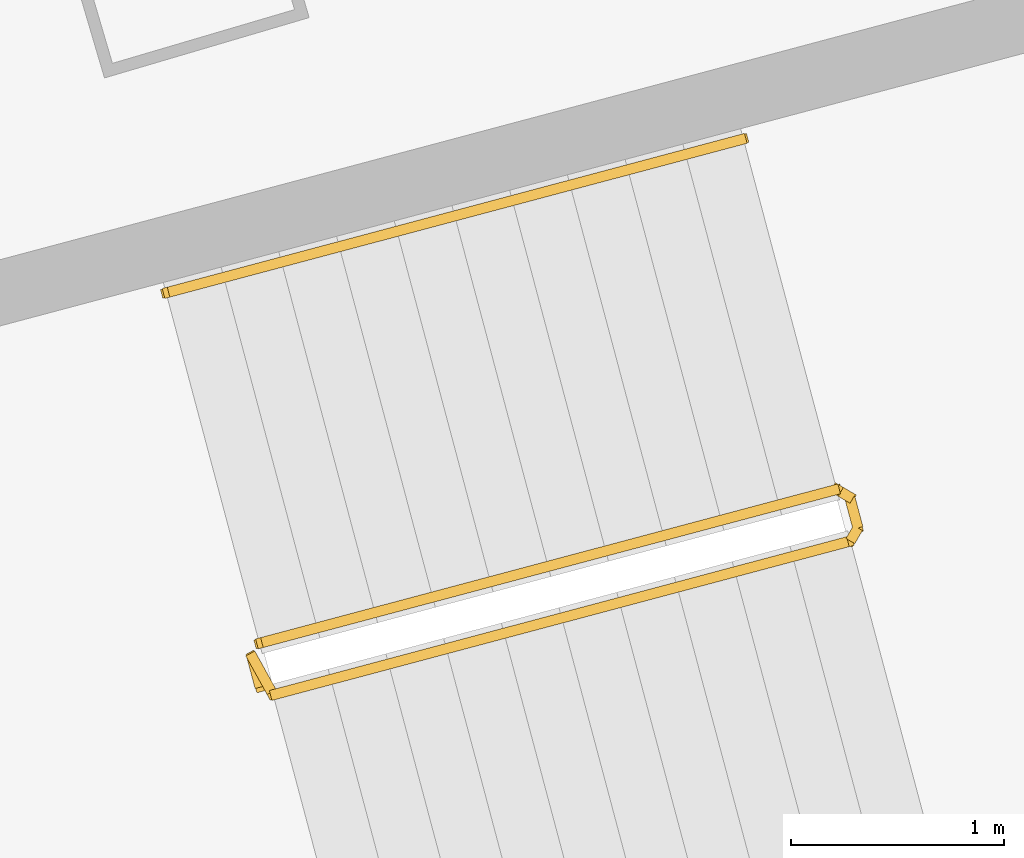
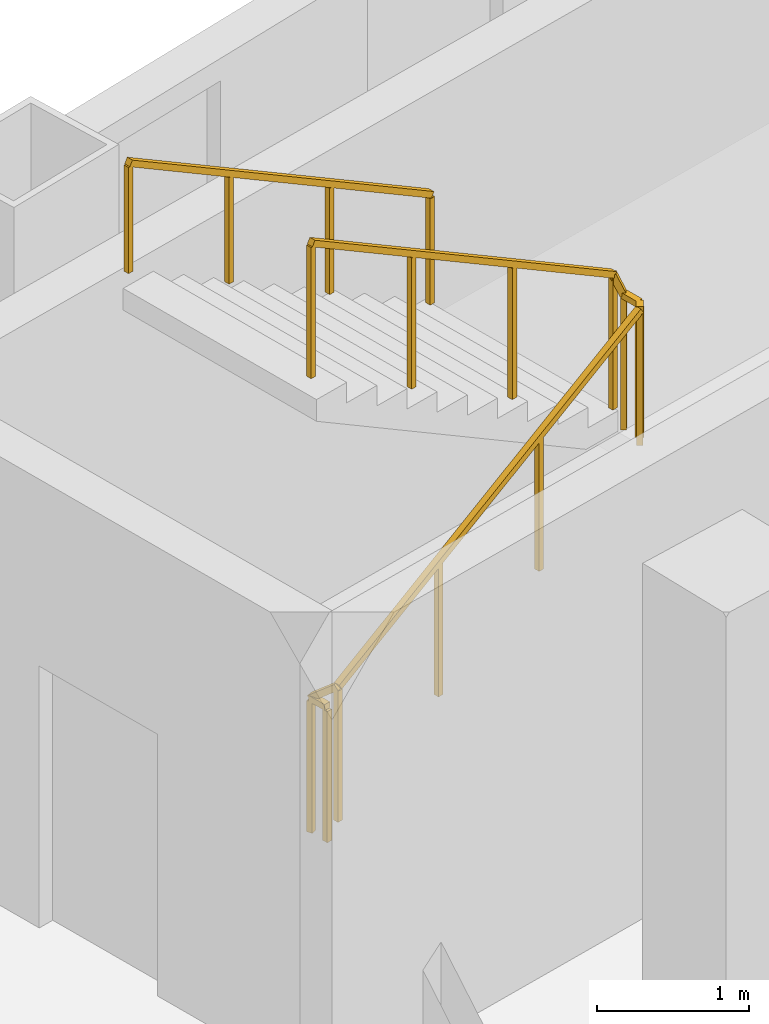
# One storey, part 21 of 21: 2 railings.
"""IFC4 building model written with IfcOpenShell, lengths in metres."""

import ifcopenshell
import ifcopenshell.guid

model = None  # the IFC model being written
_history = None  # IfcOwnerHistory: only IFC2X3 demands one
_inside = {}  # id of a spatial element -> (the spatial element, [elements in it])
_under = {}  # id of a project, library or spatial element -> (it, [spatial elements below it])
_declared = {}  # id of a project -> (the project, [libraries it declares])
_typed = {}  # id of a type object -> (the type object, [elements of that type])
_made_of = {}  # id of a material, layer set ... -> (it, [elements and type objects made of it])


def new_model(schema):
    """Start an empty IFC model of exactly this schema.

    Asked for "IFC4X3", IfcOpenShell would pick the latest addendum, in which some entities
    have other attributes; the version numbers below select the first issue.
    IFC2X3 requires an IfcOwnerHistory on every rooted entity: one is made here for all.
    """
    global model, _history
    if schema == "IFC4X3":
        model = ifcopenshell.file(schema_version=(4, 3, 0, 0))
    else:
        model = ifcopenshell.file(schema=schema)
    _inside.clear()
    _under.clear()
    _declared.clear()
    _typed.clear()
    _made_of.clear()
    _history = None
    if model.schema == "IFC2X3":
        org = make("IfcOrganization", Name="unknown")
        user = make(
            "IfcPersonAndOrganization",
            ThePerson=make("IfcPerson", FamilyName="unknown"),
            TheOrganization=org,
        )
        app = make(
            "IfcApplication",
            ApplicationDeveloper=org,
            Version="unknown",
            ApplicationFullName="unknown",
            ApplicationIdentifier="unknown",
        )
        _history = make(
            "IfcOwnerHistory",
            OwningUser=user,
            OwningApplication=app,
            ChangeAction="ADDED",
            CreationDate=0,
        )
    return model


def make(cls, **values):
    """One entity of the class cls with the attributes given. An attribute that is None is left unset."""
    return model.create_entity(
        cls, **{name: value for name, value in values.items() if value is not None}
    )


def rooted(cls, **values):
    """An entity with a GlobalId (a new one), such as an element, a storey or a relation."""
    return make(cls, GlobalId=ifcopenshell.guid.new(), OwnerHistory=_history, **values)


def si_unit(unit_type, name, prefix=None):
    """IfcSIUnit, for example si_unit("LENGTHUNIT", "METRE", prefix="MILLI")."""
    return make("IfcSIUnit", UnitType=unit_type, Prefix=prefix, Name=name)


def assignment(units):
    """IfcUnitAssignment: the units of a project."""
    return None if units is None else make("IfcUnitAssignment", Units=units)


def point(xyz):
    """IfcCartesianPoint."""
    return None if xyz is None else make("IfcCartesianPoint", Coordinates=xyz)


def direction(xyz):
    """IfcDirection."""
    return None if xyz is None else make("IfcDirection", DirectionRatios=xyz)


def frame(location, z_axis=None, x_axis=None):
    """IfcAxis2Placement3D, a coordinate frame: its origin and axes. An axis left out is left unset."""
    return make(
        "IfcAxis2Placement3D",
        Location=point(location),
        Axis=direction(z_axis),
        RefDirection=direction(x_axis),
    )


def frame_2d(location, x_axis=None):
    """IfcAxis2Placement2D, a coordinate frame in the plane: its origin and x axis."""
    return make(
        "IfcAxis2Placement2D", Location=point(location), RefDirection=direction(x_axis)
    )


def origin():
    """The frame at (0, 0, 0) with its axes left unset."""
    return frame((0.0, 0.0, 0.0))


def origin_2d():
    """The frame at (0, 0) in the plane with its x axis left unset."""
    return frame_2d((0.0, 0.0))


def place(relative_to, where):
    """IfcLocalPlacement: puts the frame where relative to a parent placement (None: the world)."""
    return make(
        "IfcLocalPlacement", PlacementRelTo=relative_to, RelativePlacement=where
    )


def context(
    kind, dimensions, precision=None, world=None, true_north=None, identifier=None
):
    """IfcGeometricRepresentationContext, for example the 3D "Model" context."""
    return make(
        "IfcGeometricRepresentationContext",
        ContextIdentifier=identifier,
        ContextType=kind,
        CoordinateSpaceDimension=dimensions,
        Precision=precision,
        WorldCoordinateSystem=world,
        TrueNorth=true_north,
    )


def subcontext(parent, identifier, kind, view, scale=None):
    """IfcGeometricRepresentationSubContext, for example "Body" below "Model"."""
    return make(
        "IfcGeometricRepresentationSubContext",
        ContextIdentifier=identifier,
        ContextType=kind,
        ParentContext=parent,
        TargetScale=scale,
        TargetView=view,
    )


def project(units=None, contexts=None):
    """IfcProject with its units and contexts."""
    return rooted(
        "IfcProject",
        Name="project",
        RepresentationContexts=contexts,
        UnitsInContext=assignment(units),
    )


def spatial(cls, under=None, at=None, **own):
    """A site, building, storey or space (cls), placed at a placement, below another one or the project."""
    s = rooted(cls, ObjectPlacement=at, **own)
    if under is not None:
        _under.setdefault(under.id(), (under, []))[1].append(s)
    return s


def profile(cls, at=None, kind="AREA", **sizes):
    """A parametric profile (cls). Its sizes go by their IFC names, for example OverallWidth=200.0."""
    return make(cls, ProfileType=kind, Position=at, **sizes)


def rectangle(**sizes):
    """IfcRectangleProfileDef."""
    return profile("IfcRectangleProfileDef", **sizes)


def extrude(swept, where, along, depth):
    """IfcExtrudedAreaSolid: the profile swept, set in the frame where, extruded along a direction by depth."""
    return make(
        "IfcExtrudedAreaSolid",
        SweptArea=swept,
        Position=where,
        ExtrudedDirection=direction(along),
        Depth=depth,
    )


def shape(context_of_items, identifier, shape_type, items):
    """IfcShapeRepresentation: the items that make up one representation, for example the "Body"."""
    return make(
        "IfcShapeRepresentation",
        ContextOfItems=context_of_items,
        RepresentationIdentifier=identifier,
        RepresentationType=shape_type,
        Items=items,
    )


def material(Name=None, Category=None):
    """IfcMaterial."""
    return make("IfcMaterial", Name=Name, Category=Category)


def made_of(thing, what):
    """Note that an element or type object is made of a material, layer set ...; save() writes the relation."""
    if what is not None:
        _made_of.setdefault(what.id(), (what, []))[1].append(thing)
    return thing


def type_object(cls, material=None, **own):
    """A type object (cls), such as IfcWallType, which elements share."""
    return made_of(rooted(cls, **own), material)


def element(
    cls,
    number,
    at=None,
    inside=None,
    cuts=None,
    type_object=None,
    material=None,
    context=None,
    identifier="Body",
    shape_type=None,
    held_by="IfcProductDefinitionShape",
    body=None,
    shapes=None,
    **own,
):
    """One element of the class cls, such as IfcWall. Its Tag is "e" and its number.

    at: its placement. inside: the storey or other place that contains it. cuts: it is an
    opening in that element (IfcRelVoidsElement). A single representation is given by context,
    identifier, shape_type and body (its items); several are given by shapes. held_by: the class
    of the entity that holds the representations. save() writes the other relations.
    """
    e = rooted(cls, Tag="e%d" % number, ObjectPlacement=at, **own)
    if body is not None:
        shapes = [shape(context, identifier, shape_type, body)]
    if shapes is not None:
        e.Representation = make(held_by, Representations=shapes)
    if inside is not None:
        _inside.setdefault(inside.id(), (inside, []))[1].append(e)
    if cuts is not None:
        rooted(
            "IfcRelVoidsElement", RelatingBuildingElement=cuts, RelatedOpeningElement=e
        )
    if type_object is not None:
        _typed.setdefault(type_object.id(), (type_object, []))[1].append(e)
    return made_of(e, material)


def aggregate(whole, parts):
    """IfcRelAggregates: a whole, such as a stair, and the parts it consists of."""
    return rooted("IfcRelAggregates", RelatingObject=whole, RelatedObjects=parts)


def save(model, path):
    """Write the relations noted so far, then the file.

    IfcRelAggregates (storeys below a building ...), IfcRelContainedInSpatialStructure (elements
    in a storey), IfcRelDefinesByType, IfcRelAssociatesMaterial and IfcRelDeclares: one each for
    every whole, place, type object, material and project.
    """
    for whole, parts in _under.values():
        aggregate(whole, parts)
    for where, things in _inside.values():
        rooted(
            "IfcRelContainedInSpatialStructure",
            RelatedElements=things,
            RelatingStructure=where,
        )
    for kind, things in _typed.values():
        rooted("IfcRelDefinesByType", RelatedObjects=things, RelatingType=kind)
    for what, things in _made_of.values():
        rooted("IfcRelAssociatesMaterial", RelatedObjects=things, RelatingMaterial=what)
    for by, libraries in _declared.values():
        rooted("IfcRelDeclares", RelatingContext=by, RelatedDefinitions=libraries)
    model.write(path)


model = new_model("IFC4")

# Units and contexts
model_context = context("Model", 3, precision=1e-05, world=origin(), true_north=direction((0.0, 1.0)))
body_context = subcontext(model_context, "Body", "Model", "MODEL_VIEW")
ifc_project = project(units=[si_unit("LENGTHUNIT", "METRE"), si_unit("AREAUNIT", "SQUARE_METRE"), si_unit("VOLUMEUNIT", "CUBIC_METRE"), si_unit("PLANEANGLEUNIT", "RADIAN"), si_unit("MASSUNIT", "GRAM", prefix="KILO")], contexts=[model_context])

# Site, building, storey
site_placement = place(None, origin())
site = spatial("IfcSite", under=ifc_project, at=site_placement, CompositionType="ELEMENT")
building_placement = place(site_placement, origin())
building = spatial("IfcBuilding", under=site, at=building_placement, Name="Alderwake Tower", CompositionType="ELEMENT")
storey_placement = place(building_placement, frame((0.0, 0.0, 146.0)))
storey = spatial("IfcBuildingStorey", under=building, at=storey_placement, Name="L35", CompositionType="ELEMENT", Elevation=146.0)

# Railings
ifc_material_1 = material(Name="Stainless steel guard", Category="steel")
railing_type_1 = type_object("IfcRailingType", Name="Stair guard 1100", PredefinedType="GUARDRAIL", material=ifc_material_1)
railing_1_placement = place(storey_placement, frame((39.23291015625, 92.6806640625, 0.0)))
element("IfcRailing", 1, at=railing_1_placement, inside=storey, type_object=railing_type_1, Name="L35 ST-A stair guard 1", PredefinedType="GUARDRAIL", context=body_context, shape_type="SweptSolid", body=[
    extrude(rectangle(XDim=0.048095703125, YDim=0.048095703125, at=origin_2d()), frame((0.0, 0.0, 1.076171875), z_axis=(-0.257055032184, 0.966396766566, 0.0), x_axis=(-0.966396766566, -0.257055032184, 0.0)), (0.0, 0.0, 1.0), 0.150146484375),
    extrude(rectangle(XDim=0.048095703125, YDim=0.048095703125, at=origin_2d()), frame((-0.03857421875, 0.14501953125, 1.076171875), z_axis=(0.379370725808, -0.685464465458, 0.621463047167), x_axis=(0.874937996095, 0.484234966715, 0.0)), (0.0, 0.0, 1.0), 0.26318359375),
    extrude(rectangle(XDim=0.048095703125, YDim=0.048095703125, at=origin_2d()), frame((0.061279296875, -0.035400390625, 1.23974609375), z_axis=(0.834258940753, 0.22222815314, 0.504605457487), x_axis=(-0.257402139082, 0.966304371715, 0.0)), (0.0, 0.0, 1.0), 3.2431640625),
    extrude(rectangle(XDim=0.048095703125, YDim=0.048095703125, at=origin_2d()), frame((2.766845703125, 0.685302734375, 2.8759765625), z_axis=(0.500220121494, 0.865898279276, 0.0), x_axis=(-0.865898279276, 0.500220121494, 0.0)), (0.0, 0.0, 1.0), 0.07080078125),
    extrude(rectangle(XDim=0.048095703125, YDim=0.048095703125, at=origin_2d()), frame((2.80224609375, 0.74658203125, 2.8759765625), z_axis=(-0.257459803502, 0.966289009345, 0.0), x_axis=(-0.966289009345, -0.257459803502, 0.0)), (0.0, 0.0, 1.0), 0.14990234375),
    extrude(rectangle(XDim=0.048095703125, YDim=0.048095703125, at=origin_2d()), frame((2.763671875, 0.891357421875, 2.8759765625), z_axis=(-0.34252489212, 0.200034536998, 0.917966710881), x_axis=(-0.504300490226, -0.863528236688, 0.0)), (0.0, 0.0, 1.0), 0.17822265625),
    extrude(rectangle(XDim=0.048095703125, YDim=0.048095703125, at=origin_2d()), frame((2.70263671875, 0.927001953125, 3.03955078125), z_axis=(-0.834281824786, -0.222214197128, 0.504573768072), x_axis=(0.257380452725, -0.966310148221, 0.0)), (0.0, 0.0, 1.0), 3.2431640625),
    extrude(rectangle(XDim=0.0419921875, YDim=0.0419921875, at=origin_2d()), frame((0.0, 0.0, 0.0), z_axis=(0.0, 0.0, 1.0), x_axis=(-0.257055032184, 0.966396766566, 0.0)), (0.0, 0.0, 1.0), 1.052001953125),
    extrude(rectangle(XDim=0.0419921875, YDim=0.0419921875, at=origin_2d()), frame((-0.03857421875, 0.14501953125, 0.0), z_axis=(0.0, 0.0, 1.0), x_axis=(0.484234966715, -0.874937996095, 0.0)), (0.0, 0.0, 1.0), 1.052001953125),
    extrude(rectangle(XDim=0.0419921875, YDim=0.0419921875, at=origin_2d()), frame((0.061279296875, -0.035400390625, 0.16357421875), z_axis=(0.0, 0.0, 1.0), x_axis=(0.966304371715, 0.257402139082, 0.0)), (0.0, 0.0, 1.0), 1.052001953125),
    extrude(rectangle(XDim=0.0419921875, YDim=0.0419921875, at=origin_2d()), frame((0.963134765625, 0.204833984375, 0.708984375), z_axis=(0.0, 0.0, 1.0), x_axis=(0.966304371715, 0.257402139082, 0.0)), (0.0, 0.0, 1.0), 1.052001953125),
    extrude(rectangle(XDim=0.0419921875, YDim=0.0419921875, at=origin_2d()), frame((1.864990234375, 0.445068359375, 1.254638671875), z_axis=(0.0, 0.0, 1.0), x_axis=(0.966304371715, 0.257402139082, 0.0)), (0.0, 0.0, 1.0), 1.052001953125),
    extrude(rectangle(XDim=0.0419921875, YDim=0.0419921875, at=origin_2d()), frame((2.766845703125, 0.685302734375, 1.800048828125), z_axis=(0.0, 0.0, 1.0), x_axis=(0.500220121494, 0.865898279276, 0.0)), (0.0, 0.0, 1.0), 1.052001953125),
    extrude(rectangle(XDim=0.0419921875, YDim=0.0419921875, at=origin_2d()), frame((2.80224609375, 0.74658203125, 1.800048828125), z_axis=(0.0, 0.0, 1.0), x_axis=(-0.257459803502, 0.966289009345, 0.0)), (0.0, 0.0, 1.0), 1.052001953125),
    extrude(rectangle(XDim=0.0419921875, YDim=0.0419921875, at=origin_2d()), frame((2.763671875, 0.891357421875, 1.800048828125), z_axis=(0.0, 0.0, 1.0), x_axis=(-0.863528236688, 0.504300490226, 0.0)), (0.0, 0.0, 1.0), 1.052001953125),
    extrude(rectangle(XDim=0.0419921875, YDim=0.0419921875, at=origin_2d()), frame((2.70263671875, 0.927001953125, 1.963623046875), z_axis=(0.0, 0.0, 1.0), x_axis=(-0.966310148221, -0.257380452725, 0.0)), (0.0, 0.0, 1.0), 1.052001953125),
    extrude(rectangle(XDim=0.0419921875, YDim=0.0419921875, at=origin_2d()), frame((1.80078125, 0.686767578125, 2.509033203125), z_axis=(0.0, 0.0, 1.0), x_axis=(-0.966310148221, -0.257380452725, 0.0)), (0.0, 0.0, 1.0), 1.052001953125),
    extrude(rectangle(XDim=0.0419921875, YDim=0.0419921875, at=origin_2d()), frame((0.898681640625, 0.446533203125, 3.0546875), z_axis=(0.0, 0.0, 1.0), x_axis=(-0.966310148221, -0.257380452725, 0.0)), (0.0, 0.0, 1.0), 1.052001953125),
    extrude(rectangle(XDim=0.0419921875, YDim=0.0419921875, at=origin_2d()), frame((-0.003173828125, 0.206298828125, 3.60009765625), z_axis=(0.0, 0.0, 1.0), x_axis=(-0.966310148221, -0.257380452725, 0.0)), (0.0, 0.0, 1.0), 1.052001953125),
])
ifc_material_2 = material(Name="Stainless steel handrail", Category="steel")
railing_type_2 = type_object("IfcRailingType", Name="Stair handrail 900", PredefinedType="HANDRAIL", material=ifc_material_2)
railing_2_placement = place(storey_placement, frame((41.497802734375, 95.250244140625, 1.963623046875)))
element("IfcRailing", 2, at=railing_2_placement, inside=storey, type_object=railing_type_2, Name="L35 ST-A stair handrail 2", PredefinedType="HANDRAIL", context=body_context, shape_type="SweptSolid", body=[
    extrude(rectangle(XDim=0.048095703125, YDim=0.048095703125, at=origin_2d()), frame((0.0, 0.0, 0.8759765625), z_axis=(-0.834258940753, -0.22222815314, 0.504605457487), x_axis=(0.257402139082, -0.966304371715, 0.0)), (0.0, 0.0, 1.0), 3.2431640625),
    extrude(rectangle(XDim=0.0419921875, YDim=0.0419921875, at=origin_2d()), frame((0.0, 0.0, 0.0), z_axis=(0.0, 0.0, 1.0), x_axis=(-0.966304371715, -0.257402139082, 0.0)), (0.0, 0.0, 1.0), 0.851806640625),
    extrude(rectangle(XDim=0.0419921875, YDim=0.0419921875, at=origin_2d()), frame((-0.90185546875, -0.240234375, 0.54541015625), z_axis=(0.0, 0.0, 1.0), x_axis=(-0.966304371715, -0.257402139082, 0.0)), (0.0, 0.0, 1.0), 0.851806640625),
    extrude(rectangle(XDim=0.0419921875, YDim=0.0419921875, at=origin_2d()), frame((-1.8037109375, -0.48046875, 1.091064453125), z_axis=(0.0, 0.0, 1.0), x_axis=(-0.966304371715, -0.257402139082, 0.0)), (0.0, 0.0, 1.0), 0.851806640625),
    extrude(rectangle(XDim=0.0419921875, YDim=0.0419921875, at=origin_2d()), frame((-2.70556640625, -0.720703125, 1.636474609375), z_axis=(0.0, 0.0, 1.0), x_axis=(-0.966304371715, -0.257402139082, 0.0)), (0.0, 0.0, 1.0), 0.851806640625),
])

save(model, "model.ifc")
